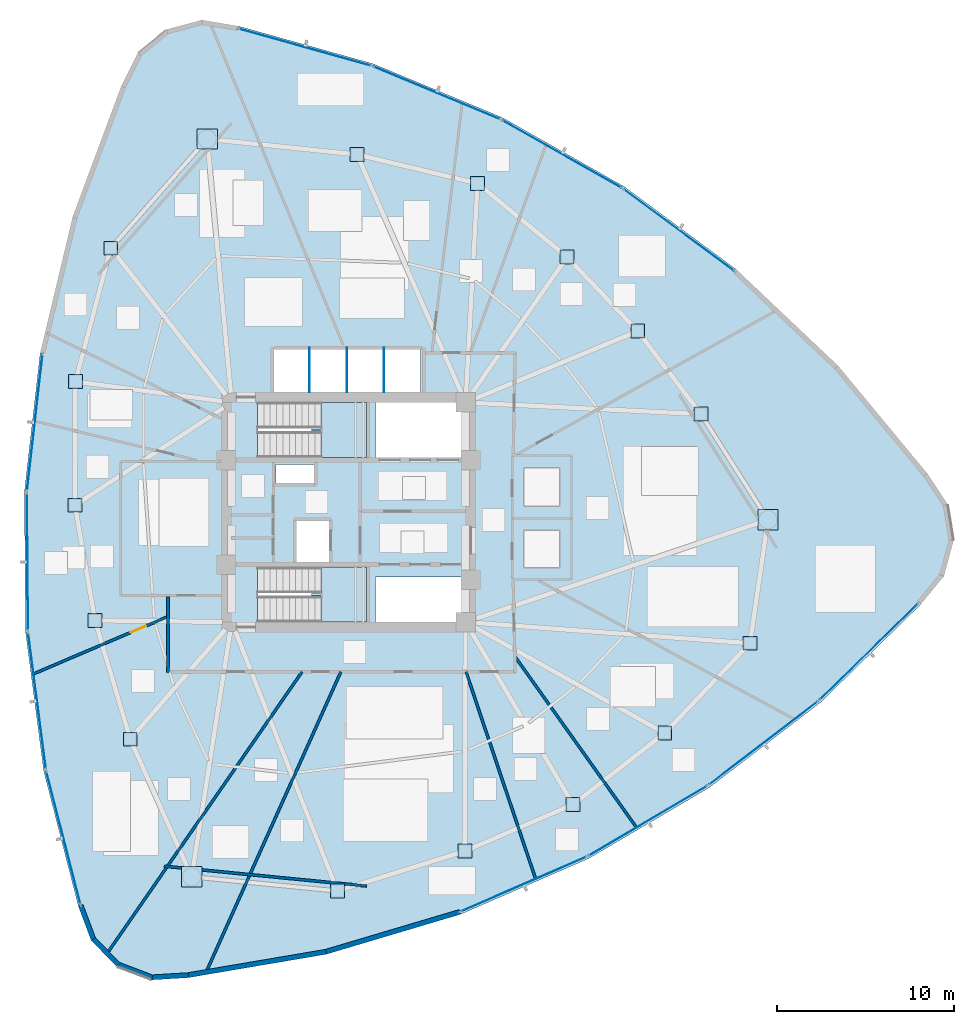
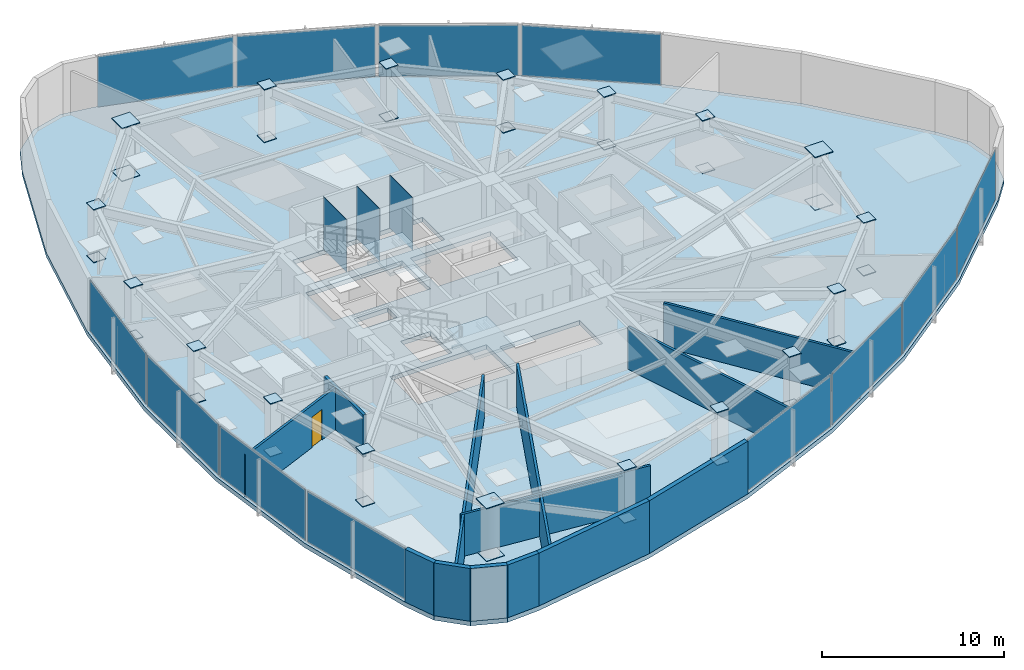
# One storey, part 11 of 18: 51 plates, 13 walls, 3 slabs, 1 door, 1 opening, 14 elements without a shape of their own.
"""IFC4 building model written with IfcOpenShell, lengths in metres."""

from ifc_helpers import new_model, si_unit, direction, frame, frame_2d, origin, origin_2d, place, context, subcontext, project, spatial, polyline, rectangle, outline, extrude, source, transform, mapped, material, layer, layer_set, type_object, type_shapes, element, fill, aggregate, save


model = new_model("IFC4")

# Units and contexts
model_context = context("Model", 3, precision=1e-05, world=origin(), true_north=direction((0.0, 1.0)))
body_context = subcontext(model_context, "Body", "Model", "MODEL_VIEW")
ifc_project = project(units=[si_unit("LENGTHUNIT", "METRE"), si_unit("AREAUNIT", "SQUARE_METRE"), si_unit("VOLUMEUNIT", "CUBIC_METRE"), si_unit("PLANEANGLEUNIT", "RADIAN"), si_unit("MASSUNIT", "GRAM", prefix="KILO")], contexts=[model_context])

# Site, building, storey
site_placement = place(None, origin())
site = spatial("IfcSite", under=ifc_project, at=site_placement, CompositionType="ELEMENT")
building_placement = place(site_placement, origin())
building = spatial("IfcBuilding", under=site, at=building_placement, Name="Tavelor Broadcast Tower", CompositionType="ELEMENT")
storey_placement = place(building_placement, frame((0.0, 0.0, 146.39990234375)))
storey = spatial("IfcBuildingStorey", under=building, at=storey_placement, Name="L34", CompositionType="ELEMENT", Elevation=146.39990234375)

# Stair, slab
ifc_material_1 = material(Name="Concrete C40/50", Category="concrete")
stair_type = type_object("IfcStairType", Name="Reinforced Concrete Protected Dogleg Stair 1450 mm", PredefinedType="HALF_TURN_STAIR", material=ifc_material_1)
stair_1_placement = place(storey_placement, origin())
stair_1 = element("IfcStair", 1, at=stair_1_placement, inside=storey, type_object=stair_type, Name="L34 Protected Core Exit Stair ST1", PredefinedType="HALF_TURN_STAIR")
ifc_layer_1 = layer(ifc_material_1, 0.199951171875)
ifc_layer_set_1 = layer_set([ifc_layer_1], Name="Concrete C40/50")
slab_type_1 = type_object("IfcSlabType", Name="Reinforced Concrete Stair Half-Landing Slab 200 mm", PredefinedType="LANDING", material=ifc_layer_set_1)
slab_1_placement = place(storey_placement, frame((0.0, 0.0, 1.72509765625)))
slab_1 = element("IfcSlab", 2, at=slab_1_placement, type_object=slab_type_1, Name="ST1 landing 1", PredefinedType="LANDING", context=body_context, shape_type="SweptSolid", body=[
    extrude(outline(polyline([(48.445068359375, 49.590087890625), (48.445068359375, 48.094970703125), (51.0048828125, 48.094970703125), (51.0048828125, 51.205078125), (48.445068359375, 51.205078125), (48.445068359375, 49.7099609375), (47.905029296875, 49.7099609375), (47.905029296875, 49.590087890625), (48.445068359375, 49.590087890625)])), origin(), (0.0, 0.0, 1.0), 0.199951171875),
])
aggregate(stair_1, [slab_1])

stair_2_placement = place(storey_placement, origin())
stair_2 = element("IfcStair", 3, at=stair_2_placement, inside=storey, type_object=stair_type, Name="L34 Protected Core Exit Stair ST2", PredefinedType="HALF_TURN_STAIR")
slab_2_placement = place(storey_placement, frame((0.0, 0.0, 1.72509765625)))
slab_2 = element("IfcSlab", 4, at=slab_2_placement, type_object=slab_type_1, Name="ST2 landing 1", PredefinedType="LANDING", context=body_context, shape_type="SweptSolid", body=[
    extrude(outline(polyline([(48.445068359375, 40.2900390625), (48.445068359375, 38.794921875), (51.0048828125, 38.794921875), (51.0048828125, 41.905029296875), (48.445068359375, 41.905029296875), (48.445068359375, 40.409912109375), (47.905029296875, 40.409912109375), (47.905029296875, 40.2900390625), (48.445068359375, 40.2900390625)])), origin(), (0.0, 0.0, 1.0), 0.199951171875),
])
aggregate(stair_2, [slab_2])

# Slab
ifc_layer_2 = layer(ifc_material_1, 0.300048828125)
ifc_layer_set_2 = layer_set([ifc_layer_2], Name="Concrete C40/50")
slab_type_2 = type_object("IfcSlabType", Name="Tower Composite Floor Slab 300 mm", PredefinedType="FLOOR", material=ifc_layer_set_2)
slab_3_placement = place(storey_placement, frame((0.0, 0.0, -0.2998046875)))
element("IfcSlab", 5, at=slab_3_placement, inside=storey, type_object=slab_type_2, Name="L34 Structural Floor Slab", PredefinedType="FLOOR", context=body_context, shape_type="SweptSolid", body=[
    extrude(outline(polyline([(43.763916015625, 72.453369140625), (41.716064453125, 72.794189453125), (39.709228515625, 72.26220703125), (38.09912109375, 70.951416015625), (37.171142578125, 69.09423828125), (34.419677734375, 61.686279296875), (32.5849609375, 54.0), (31.693603515625, 46.148193359375), (31.75927734375, 38.24609375), (32.780517578125, 30.409912109375), (34.74267578125, 22.7548828125), (35.471435546875, 20.81103515625), (36.935546875, 19.339111328125), (38.875732421875, 18.60009765625), (40.9482421875, 18.72509765625), (48.7392578125, 20.046142578125), (56.313232421875, 22.30029296875), (63.558837890625, 25.45458984375), (70.369384765625, 29.46240234375), (76.64501953125, 34.264892578125), (82.29345703125, 39.79150390625), (83.612548828125, 41.394775390625), (84.1552734375, 43.398681640625), (83.824951171875, 45.448486328125), (82.6806640625, 47.1806640625), (77.64111328125, 53.267333984375), (71.90185546875, 58.69970703125), (65.54736328125, 63.3974609375), (58.671142578125, 67.29150390625), (51.374267578125, 70.3251953125), (43.763916015625, 72.453369140625)]), holes=[polyline([(56.60009765625, 41.35009765625), (56.60009765625, 38.800048828125), (51.52001953125, 38.800048828125), (51.52001953125, 41.35009765625), (56.60009765625, 41.35009765625)]), polyline([(50.99609375, 38.803955078125), (44.85400390625, 38.803955078125), (44.85400390625, 41.89599609375), (50.99609375, 41.89599609375), (50.99609375, 38.803955078125)]), polyline([(47.050048828125, 42.199951171875), (47.050048828125, 44.550048828125), (48.949951171875, 44.550048828125), (48.949951171875, 42.199951171875), (47.050048828125, 42.199951171875)]), polyline([(48.050048828125, 46.64990234375), (45.89990234375, 46.64990234375), (45.89990234375, 47.699951171875), (48.050048828125, 47.699951171875), (48.050048828125, 46.64990234375)]), polyline([(50.99609375, 48.10400390625), (44.85400390625, 48.10400390625), (44.85400390625, 51.196044921875), (50.99609375, 51.196044921875), (50.99609375, 48.10400390625)]), polyline([(56.60009765625, 48.10009765625), (51.52001953125, 48.10009765625), (51.52001953125, 51.199951171875), (56.60009765625, 51.199951171875), (56.60009765625, 48.10009765625)]), polyline([(54.050048828125, 51.800048828125), (45.800048828125, 51.800048828125), (45.800048828125, 54.25), (54.050048828125, 54.25), (54.050048828125, 51.800048828125)])]), origin(), (0.0, 0.0, 1.0), 0.2998046875),
])

# Plates
ifc_material_2 = material(Name="Steel S460", Category="steel")
ifc_layer_3 = layer(ifc_material_2, 0.050048828125)
ifc_layer_set_3 = layer_set([ifc_layer_3], Name="Steel S460")
plate_type_1 = type_object("IfcPlateType", Name="Tube Hollow-End Cap Plate KN05 700x700x50", PredefinedType="USERDEFINED", material=ifc_layer_set_3)
shared_shape_1 = source(origin(), body_context, "Body", "SweptSolid", [
    extrude(rectangle(XDim=1.14697265625, YDim=1.14697265625, at=origin_2d()), origin(), (0.0, 0.0, 1.0), 0.054931640625),
])
for number, where, z_axis, x_axis, name in (
    (6, (42.01123046875, 66.080078125, -0.02734375), (0.0, 0.0, 1.0), (1.0, 0.0, 0.0), "L34 Hollow End Cap Plate KN05 #963"),
    (7, (42.01123046875, 66.080078125, 3.5224609375), (0.0, 0.0, 1.0), (1.0, 0.0, 0.0), "L34 Hollow End Cap Plate KN05 #964"),
    (8, (41.138671875, 24.423828125, -0.02734375), (0.0, 0.0, 1.0), (1.0, 0.0, 0.0), "L34 Hollow End Cap Plate KN05 #975"),
    (9, (41.138671875, 24.423828125, 3.5224609375), (0.0, 0.0, 1.0), (1.0, 0.0, 0.0), "L34 Hollow End Cap Plate KN05 #976"),
    (10, (73.676025390625, 44.57958984375, -0.02734375), (0.0, 0.0, 1.0), (1.0, 0.0, 0.0), "L34 Hollow End Cap Plate KN05 #987"),
    (11, (73.676025390625, 44.57958984375, 3.5224609375), (0.0, 0.0, 1.0), (1.0, 0.0, 0.0), "L34 Hollow End Cap Plate KN05 #988"),
):
    element("IfcPlate", number, at=place(storey_placement, frame(where, z_axis=z_axis, x_axis=x_axis)), inside=storey, type_object=plate_type_1, Name=name, ObjectType="CAP PLATE", PredefinedType="USERDEFINED", context=body_context, shape_type="MappedRepresentation", body=[
        mapped(shared_shape_1, transform((0.0, 0.0, 0.0), scale=1.0)),
    ])
shared_shape_2 = source(origin(), body_context, "Body", "SweptSolid", [
    extrude(rectangle(XDim=0.780029296875, YDim=0.780029296875, at=origin_2d()), origin(), (0.0, 0.0, 1.0), 0.054931640625),
])
type_shapes(plate_type_1, [shared_shape_1, shared_shape_2])
for number, where, z_axis, x_axis, name in (
    (12, (36.567626953125, 59.91064453125, -0.02734375), (0.0, 0.0, 1.0), (1.0, 0.0, 0.0), "L34 Hollow End Cap Plate KN05 #965"),
    (13, (36.567626953125, 59.91064453125, 3.5224609375), (0.0, 0.0, 1.0), (1.0, 0.0, 0.0), "L34 Hollow End Cap Plate KN05 #966"),
    (14, (34.5751953125, 52.37939453125, -0.02734375), (0.0, 0.0, 1.0), (1.0, 0.0, 0.0), "L34 Hollow End Cap Plate KN05 #967"),
    (15, (34.5751953125, 52.37939453125, 3.5224609375), (0.0, 0.0, 1.0), (1.0, 0.0, 0.0), "L34 Hollow End Cap Plate KN05 #968"),
    (16, (34.54638671875, 45.399169921875, -0.02734375), (0.0, 0.0, 1.0), (1.0, 0.0, 0.0), "L34 Hollow End Cap Plate KN05 #969"),
    (17, (34.54638671875, 45.399169921875, 3.5224609375), (0.0, 0.0, 1.0), (1.0, 0.0, 0.0), "L34 Hollow End Cap Plate KN05 #970"),
    (18, (35.680908203125, 38.89990234375, -0.02734375), (0.0, 0.0, 1.0), (1.0, 0.0, 0.0), "L34 Hollow End Cap Plate KN05 #971"),
    (19, (35.680908203125, 38.89990234375, 3.5224609375), (0.0, 0.0, 1.0), (1.0, 0.0, 0.0), "L34 Hollow End Cap Plate KN05 #972"),
    (20, (37.668212890625, 32.1904296875, -0.02734375), (0.0, 0.0, 1.0), (1.0, 0.0, 0.0), "L34 Hollow End Cap Plate KN05 #973"),
    (21, (37.668212890625, 32.1904296875, 3.5224609375), (0.0, 0.0, 1.0), (1.0, 0.0, 0.0), "L34 Hollow End Cap Plate KN05 #974"),
    (22, (49.366455078125, 23.618896484375, -0.02734375), (0.0, 0.0, 1.0), (1.0, 0.0, 0.0), "L34 Hollow End Cap Plate KN05 #977"),
    (23, (49.366455078125, 23.618896484375, 3.5224609375), (0.0, 0.0, 1.0), (1.0, 0.0, 0.0), "L34 Hollow End Cap Plate KN05 #978"),
    (24, (56.56103515625, 25.872802734375, -0.02734375), (0.0, 0.0, 1.0), (1.0, 0.0, 0.0), "L34 Hollow End Cap Plate KN05 #979"),
    (25, (56.56103515625, 25.872802734375, 3.5224609375), (0.0, 0.0, 1.0), (1.0, 0.0, 0.0), "L34 Hollow End Cap Plate KN05 #980"),
    (26, (62.669189453125, 28.503173828125, -0.02734375), (0.0, 0.0, 1.0), (1.0, 0.0, 0.0), "L34 Hollow End Cap Plate KN05 #981"),
    (27, (62.669189453125, 28.503173828125, 3.5224609375), (0.0, 0.0, 1.0), (1.0, 0.0, 0.0), "L34 Hollow End Cap Plate KN05 #982"),
    (28, (67.84228515625, 32.53173828125, -0.02734375), (0.0, 0.0, 1.0), (1.0, 0.0, 0.0), "L34 Hollow End Cap Plate KN05 #983"),
    (29, (67.84228515625, 32.53173828125, 3.5224609375), (0.0, 0.0, 1.0), (1.0, 0.0, 0.0), "L34 Hollow End Cap Plate KN05 #984"),
    (30, (72.6591796875, 37.607421875, -0.02734375), (0.0, 0.0, 1.0), (1.0, 0.0, 0.0), "L34 Hollow End Cap Plate KN05 #985"),
    (31, (72.6591796875, 37.607421875, 3.5224609375), (0.0, 0.0, 1.0), (1.0, 0.0, 0.0), "L34 Hollow End Cap Plate KN05 #986"),
    (32, (69.885986328125, 50.544189453125, -0.02734375), (0.0, 0.0, 1.0), (1.0, 0.0, 0.0), "L34 Hollow End Cap Plate KN05 #989"),
    (33, (69.885986328125, 50.544189453125, 3.5224609375), (0.0, 0.0, 1.0), (1.0, 0.0, 0.0), "L34 Hollow End Cap Plate KN05 #990"),
    (34, (66.322021484375, 55.228759765625, -0.02734375), (0.0, 0.0, 1.0), (1.0, 0.0, 0.0), "L34 Hollow End Cap Plate KN05 #991"),
    (35, (66.322021484375, 55.228759765625, 3.5224609375), (0.0, 0.0, 1.0), (1.0, 0.0, 0.0), "L34 Hollow End Cap Plate KN05 #992"),
    (36, (62.330810546875, 59.416259765625, -0.02734375), (0.0, 0.0, 1.0), (1.0, 0.0, 0.0), "L34 Hollow End Cap Plate KN05 #993"),
    (37, (62.330810546875, 59.416259765625, 3.5224609375), (0.0, 0.0, 1.0), (1.0, 0.0, 0.0), "L34 Hollow End Cap Plate KN05 #994"),
    (38, (57.276611328125, 63.568359375, -0.02734375), (0.0, 0.0, 1.0), (1.0, 0.0, 0.0), "L34 Hollow End Cap Plate KN05 #995"),
    (39, (57.276611328125, 63.568359375, 3.5224609375), (0.0, 0.0, 1.0), (1.0, 0.0, 0.0), "L34 Hollow End Cap Plate KN05 #996"),
    (40, (50.472412109375, 65.2021484375, -0.02734375), (0.0, 0.0, 1.0), (1.0, 0.0, 0.0), "L34 Hollow End Cap Plate KN05 #997"),
    (41, (50.472412109375, 65.2021484375, 3.5224609375), (0.0, 0.0, 1.0), (1.0, 0.0, 0.0), "L34 Hollow End Cap Plate KN05 #998"),
):
    element("IfcPlate", number, at=place(storey_placement, frame(where, z_axis=z_axis, x_axis=x_axis)), inside=storey, type_object=plate_type_1, Name=name, ObjectType="CAP PLATE", PredefinedType="USERDEFINED", context=body_context, shape_type="MappedRepresentation", body=[
        mapped(shared_shape_2, transform((0.0, 0.0, 0.0), scale=1.0)),
    ])
ifc_material_3 = material(Name="Steel S355", Category="steel")
ifc_layer_4 = layer(ifc_material_3, 0.011962890625)
ifc_layer_set_4 = layer_set([ifc_layer_4], Name="Steel S355")
plate_type_2 = type_object("IfcPlateType", Name="Hoistway Steel Separator Screen 12 mm", PredefinedType="SHEET", material=ifc_layer_set_4)
shared_shape_3 = source(origin(), body_context, "Body", "SweptSolid", [
    extrude(rectangle(XDim=0.02001953125, YDim=2.52001953125, at=origin_2d()), origin(), (0.0, 0.0, 1.0), 3.550048828125),
])
type_shapes(plate_type_2, [shared_shape_3])
for number, where, z_axis, x_axis, name in (
    (42, (47.800048828125, 53.0400390625, 0.0), (0.0, 0.0, 1.0), (1.0, 0.0, 0.0), "L34 High-Rise Hoistway Separator Screen 1"),
    (43, (49.89990234375, 53.0400390625, 0.0), (0.0, 0.0, 1.0), (1.0, 0.0, 0.0), "L34 High-Rise Hoistway Separator Screen 2"),
    (44, (52.0, 53.0400390625, 0.0), (0.0, 0.0, 1.0), (1.0, 0.0, 0.0), "L34 High-Rise Hoistway Separator Screen 3"),
):
    element("IfcPlate", number, at=place(storey_placement, frame(where, z_axis=z_axis, x_axis=x_axis)), inside=storey, type_object=plate_type_2, Name=name, PredefinedType="SHEET", context=body_context, shape_type="MappedRepresentation", body=[
        mapped(shared_shape_3, transform((0.0, 0.0, 0.0), scale=1.0)),
    ])

# Curtain wall, plate
ifc_material_4 = material(Name="Architectural Anodized Aluminium", Category="aluminium")
ifc_layer_5 = layer(ifc_material_4, 0.18994140625)
ifc_layer_set_5 = layer_set([ifc_layer_5], Name="Architectural Anodized Aluminium")
curtain_wall_type = type_object("IfcCurtainWallType", Name="Tower Mid-Zone Acoustic Curtain Wall CW03", PredefinedType="NOTDEFINED", material=ifc_layer_set_5)
curtain_wall_1_placement = place(storey_placement, origin())
curtain_wall_1 = element("IfcCurtainWall", 45, at=curtain_wall_1_placement, inside=storey, type_object=curtain_wall_type, Name="L34 Curtain Wall CW03 Run 349", PredefinedType="NOTDEFINED")
ifc_material_5 = material(Name="Solar Control Double Glazing 30 mm", Category="glass")
ifc_layer_6 = layer(ifc_material_5, 0.030029296875)
ifc_layer_set_6 = layer_set([ifc_layer_6], Name="Solar Control Double Glazing 30 mm")
plate_type_3 = type_object("IfcPlateType", Name="CW03 Insulated Vision Glazing Panel 30 mm", PredefinedType="CURTAIN_PANEL", material=ifc_layer_set_6)
shared_shape_4 = source(origin(), body_context, "Body", "SweptSolid", [
    extrude(rectangle(XDim=7.734375, YDim=0.030029296875, at=origin_2d()), origin(), (0.0, 0.0, 1.0), 3.4140625),
])
plate_1_placement = place(storey_placement, frame((32.279296875, 50.065673828125, 0.068115234375), z_axis=(0.0, 0.0, 1.0), x_axis=(-0.112765715809, -0.993621604706, 0.0)))
plate_1 = element("IfcPlate", 46, at=plate_1_placement, type_object=plate_type_3, Name="CW03 panel 1.1", PredefinedType="CURTAIN_PANEL", context=body_context, shape_type="MappedRepresentation", body=[
    mapped(shared_shape_4, transform((0.0, 0.0, 0.0), scale=1.0)),
])
aggregate(curtain_wall_1, [plate_1])

curtain_wall_2_placement = place(storey_placement, origin())
curtain_wall_2 = element("IfcCurtainWall", 47, at=curtain_wall_2_placement, inside=storey, type_object=curtain_wall_type, Name="L34 Curtain Wall CW03 Run 353", PredefinedType="NOTDEFINED")
plate_2_placement = place(storey_placement, frame((59.873291015625, 24.0029296875, 0.068115234375), z_axis=(0.0, 0.0, 1.0), x_axis=(0.916889778393, 0.399140494411, 0.0)))
plate_2 = element("IfcPlate", 48, at=plate_2_placement, type_object=plate_type_3, Name="CW03 panel 1.1", PredefinedType="CURTAIN_PANEL", context=body_context, shape_type="MappedRepresentation", body=[
    mapped(shared_shape_4, transform((0.0, 0.0, 0.0), scale=1.0)),
])
aggregate(curtain_wall_2, [plate_2])

curtain_wall_3_placement = place(storey_placement, origin())
curtain_wall_3 = element("IfcCurtainWall", 49, at=curtain_wall_3_placement, inside=storey, type_object=curtain_wall_type, Name="L34 Curtain Wall CW03 Run 357", PredefinedType="NOTDEFINED")
plate_3_placement = place(storey_placement, frame((68.6474609375, 60.931396484375, 0.068115234375), z_axis=(0.0, 0.0, 1.0), x_axis=(-0.804106952435, 0.594484658377, 0.0)))
plate_3 = element("IfcPlate", 50, at=plate_3_placement, type_object=plate_type_3, Name="CW03 panel 1.1", PredefinedType="CURTAIN_PANEL", context=body_context, shape_type="MappedRepresentation", body=[
    mapped(shared_shape_4, transform((0.0, 0.0, 0.0), scale=1.0)),
])
aggregate(curtain_wall_3, [plate_3])

curtain_wall_4_placement = place(storey_placement, origin())
curtain_wall_4 = element("IfcCurtainWall", 51, at=curtain_wall_4_placement, inside=storey, type_object=curtain_wall_type, Name="L34 Curtain Wall CW03 Run 350", PredefinedType="NOTDEFINED")
shared_shape_5 = source(origin(), body_context, "Body", "SweptSolid", [
    extrude(rectangle(XDim=7.719482421875, YDim=0.030029296875, at=origin_2d()), origin(), (0.0, 0.0, 1.0), 3.4140625),
])
plate_4_placement = place(storey_placement, frame((31.866455078125, 42.1982421875, 0.068115234375), z_axis=(0.0, 0.0, 1.0), x_axis=(0.008300053994, -0.999965553959, 0.0)))
plate_4 = element("IfcPlate", 52, at=plate_4_placement, type_object=plate_type_3, Name="CW03 panel 1.1", PredefinedType="CURTAIN_PANEL", context=body_context, shape_type="MappedRepresentation", body=[
    mapped(shared_shape_5, transform((0.0, 0.0, 0.0), scale=1.0)),
])
aggregate(curtain_wall_4, [plate_4])

curtain_wall_5_placement = place(storey_placement, origin())
curtain_wall_5 = element("IfcCurtainWall", 53, at=curtain_wall_5_placement, inside=storey, type_object=curtain_wall_type, Name="L34 Curtain Wall CW03 Run 351", PredefinedType="NOTDEFINED")
plate_5_placement = place(storey_placement, frame((32.40869140625, 34.345947265625, 0.068115234375), z_axis=(0.0, 0.0, 1.0), x_axis=(0.129236324835, -0.991613822182, 0.0)))
plate_5 = element("IfcPlate", 54, at=plate_5_placement, type_object=plate_type_3, Name="CW03 panel 1.1", PredefinedType="CURTAIN_PANEL", context=body_context, shape_type="MappedRepresentation", body=[
    mapped(shared_shape_5, transform((0.0, 0.0, 0.0), scale=1.0)),
])
aggregate(curtain_wall_5, [plate_5])

curtain_wall_6_placement = place(storey_placement, origin())
curtain_wall_6 = element("IfcCurtainWall", 55, at=curtain_wall_6_placement, inside=storey, type_object=curtain_wall_type, Name="L34 Curtain Wall CW03 Run 359", PredefinedType="NOTDEFINED")
plate_6_placement = place(storey_placement, frame((54.968994140625, 68.67919921875, 0.068115234375), z_axis=(0.0, 0.0, 1.0), x_axis=(-0.923379072149, 0.383889423033, 0.0)))
plate_6 = element("IfcPlate", 56, at=plate_6_placement, type_object=plate_type_3, Name="CW03 panel 1.1", PredefinedType="CURTAIN_PANEL", context=body_context, shape_type="MappedRepresentation", body=[
    mapped(shared_shape_5, transform((0.0, 0.0, 0.0), scale=1.0)),
])
aggregate(curtain_wall_6, [plate_6])

curtain_wall_7_placement = place(storey_placement, origin())
curtain_wall_7 = element("IfcCurtainWall", 57, at=curtain_wall_7_placement, inside=storey, type_object=curtain_wall_type, Name="L34 Curtain Wall CW03 Run 352", PredefinedType="NOTDEFINED")
shared_shape_6 = source(origin(), body_context, "Body", "SweptSolid", [
    extrude(rectangle(XDim=7.7353515625, YDim=0.030029296875, at=origin_2d()), origin(), (0.0, 0.0, 1.0), 3.4140625),
])
plate_7_placement = place(storey_placement, frame((33.899169921875, 26.609619140625, 0.068115234375), z_axis=(0.0, 0.0, 1.0), x_axis=(0.248270813194, -0.96869066441, 0.0)))
plate_7 = element("IfcPlate", 58, at=plate_7_placement, type_object=plate_type_3, Name="CW03 panel 1.1", PredefinedType="CURTAIN_PANEL", context=body_context, shape_type="MappedRepresentation", body=[
    mapped(shared_shape_6, transform((0.0, 0.0, 0.0), scale=1.0)),
])
aggregate(curtain_wall_7, [plate_7])

curtain_wall_8_placement = place(storey_placement, origin())
curtain_wall_8 = element("IfcCurtainWall", 59, at=curtain_wall_8_placement, inside=storey, type_object=curtain_wall_type, Name="L34 Curtain Wall CW03 Run 356", PredefinedType="NOTDEFINED")
plate_8_placement = place(storey_placement, frame((79.376953125, 37.1337890625, 0.068115234375), z_axis=(0.0, 0.0, 1.0), x_axis=(0.714763750327, 0.699365985174, 0.0)))
plate_8 = element("IfcPlate", 60, at=plate_8_placement, type_object=plate_type_3, Name="CW03 panel 1.1", PredefinedType="CURTAIN_PANEL", context=body_context, shape_type="MappedRepresentation", body=[
    mapped(shared_shape_6, transform((0.0, 0.0, 0.0), scale=1.0)),
])
aggregate(curtain_wall_8, [plate_8])

curtain_wall_9_placement = place(storey_placement, origin())
curtain_wall_9 = element("IfcCurtainWall", 61, at=curtain_wall_9_placement, inside=storey, type_object=curtain_wall_type, Name="L34 Curtain Wall CW03 Run 354", PredefinedType="NOTDEFINED")
shared_shape_7 = source(origin(), body_context, "Body", "SweptSolid", [
    extrude(rectangle(XDim=7.71923828125, YDim=0.030029296875, at=origin_2d()), origin(), (0.0, 0.0, 1.0), 3.4140625),
])
plate_9_placement = place(storey_placement, frame((66.893310546875, 27.5791015625, 0.068115234375), z_axis=(0.0, 0.0, 1.0), x_axis=(0.861848133445, 0.507166437058, 0.0)))
plate_9 = element("IfcPlate", 62, at=plate_9_placement, type_object=plate_type_3, Name="CW03 panel 1.1", PredefinedType="CURTAIN_PANEL", context=body_context, shape_type="MappedRepresentation", body=[
    mapped(shared_shape_7, transform((0.0, 0.0, 0.0), scale=1.0)),
])
aggregate(curtain_wall_9, [plate_9])

curtain_wall_10_placement = place(storey_placement, origin())
curtain_wall_10 = element("IfcCurtainWall", 63, at=curtain_wall_10_placement, inside=storey, type_object=curtain_wall_type, Name="L34 Curtain Wall CW03 Run 355", PredefinedType="NOTDEFINED")
plate_10_placement = place(storey_placement, frame((73.42236328125, 31.974853515625, 0.068115234375), z_axis=(0.0, 0.0, 1.0), x_axis=(0.794146764264, 0.607726021171, 0.0)))
plate_10 = element("IfcPlate", 64, at=plate_10_placement, type_object=plate_type_3, Name="CW03 panel 1.1", PredefinedType="CURTAIN_PANEL", context=body_context, shape_type="MappedRepresentation", body=[
    mapped(shared_shape_7, transform((0.0, 0.0, 0.0), scale=1.0)),
])
aggregate(curtain_wall_10, [plate_10])

curtain_wall_11_placement = place(storey_placement, origin())
curtain_wall_11 = element("IfcCurtainWall", 65, at=curtain_wall_11_placement, inside=storey, type_object=curtain_wall_type, Name="L34 Curtain Wall CW03 Run 358", PredefinedType="NOTDEFINED")
plate_11_placement = place(storey_placement, frame((62.040283203125, 65.22265625, 0.068115234375), z_axis=(0.0, 0.0, 1.0), x_axis=(-0.87014974814, 0.492787394129, 0.0)))
plate_11 = element("IfcPlate", 66, at=plate_11_placement, type_object=plate_type_3, Name="CW03 panel 1.1", PredefinedType="CURTAIN_PANEL", context=body_context, shape_type="MappedRepresentation", body=[
    mapped(shared_shape_7, transform((0.0, 0.0, 0.0), scale=1.0)),
])
aggregate(curtain_wall_11, [plate_11])

curtain_wall_12_placement = place(storey_placement, origin())
curtain_wall_12 = element("IfcCurtainWall", 67, at=curtain_wall_12_placement, inside=storey, type_object=curtain_wall_type, Name="L34 Curtain Wall CW03 Run 360", PredefinedType="NOTDEFINED")
shared_shape_8 = source(origin(), body_context, "Body", "SweptSolid", [
    extrude(rectangle(XDim=7.735107421875, YDim=0.030029296875, at=origin_2d()), origin(), (0.0, 0.0, 1.0), 3.4140625),
])
type_shapes(plate_type_3, [shared_shape_4, shared_shape_5, shared_shape_6, shared_shape_7, shared_shape_8])
plate_12_placement = place(storey_placement, frame((47.523681640625, 71.256591796875, 0.068115234375), z_axis=(0.0, 0.0, 1.0), x_axis=(-0.963053426134, 0.269310412743, 0.0)))
plate_12 = element("IfcPlate", 68, at=plate_12_placement, type_object=plate_type_3, Name="CW03 panel 1.1", PredefinedType="CURTAIN_PANEL", context=body_context, shape_type="MappedRepresentation", body=[
    mapped(shared_shape_8, transform((0.0, 0.0, 0.0), scale=1.0)),
])
aggregate(curtain_wall_12, [plate_12])

# Walls
ifc_material_6 = material(Name="Calcium Silicate Fire Board 180 mm", Category="gypsum")
ifc_layer_7 = layer(ifc_material_6, 0.179931640625)
ifc_layer_set_7 = layer_set([ifc_layer_7], Name="Calcium Silicate Fire Board 180 mm")
wall_type_1 = type_object("IfcWallType", Name="Fire-Rated Corridor Partition Wall 180 mm", PredefinedType="PARTITIONING", material=ifc_layer_set_7)
wall_1_placement = place(storey_placement, frame((39.800048828125, 35.949951171875, 0.0), z_axis=(0.0, 0.0, 1.0), x_axis=(0.0, 1.0, 0.0)))
element("IfcWall", 69, at=wall_1_placement, inside=storey, type_object=wall_type_1, Name="L34 Corridor Compartment Wall 05", PredefinedType="PARTITIONING", context=body_context, shape_type="SweptSolid", body=[
    extrude(rectangle(XDim=4.300048828125, YDim=0.179931640625, at=frame_2d((2.14990234375, 0.0))), origin(), (0.0, 0.0, 1.0), 2.835205078125),
])
ifc_material_7 = material(Name="Precast Concrete C40/50", Category="concrete")
ifc_layer_8 = layer(ifc_material_7, 0.280029296875)
ifc_layer_set_8 = layer_set([ifc_layer_8], Name="Precast Concrete C40/50")
wall_type_2 = type_object("IfcWallType", Name="Insulated Precast Terracotta Facade Wall 280 mm", PredefinedType="STANDARD", material=ifc_layer_set_8)
wall_2_placement = place(storey_placement, frame((34.875, 22.80078125, 0.0), z_axis=(0.0, 0.0, 1.0), x_axis=(0.35100640095, -0.936373059465, 0.0)))
element("IfcWall", 70, at=wall_2_placement, inside=storey, type_object=wall_type_2, Name="L34 Rounded Corner Structural Cladding Pier 11", PredefinedType="STANDARD", context=body_context, shape_type="SweptSolid", body=[
    extrude(rectangle(XDim=2.057373046875, YDim=0.280029296875, at=frame_2d((1.02880859375, 0.0))), origin(), (0.0, 0.0, 1.0), 3.550048828125),
])
wall_3_placement = place(storey_placement, frame((35.581298828125, 20.89892578125, 0.0), z_axis=(0.0, 0.0, 1.0), x_axis=(0.705254709227, -0.708954014808, 0.0)))
element("IfcWall", 71, at=wall_3_placement, inside=storey, type_object=wall_type_2, Name="L34 Rounded Corner Structural Cladding Pier 12", PredefinedType="STANDARD", context=body_context, shape_type="SweptSolid", body=[
    extrude(rectangle(XDim=2.0458984375, YDim=0.280029296875, at=frame_2d((1.02294921875, 0.0))), origin(), (0.0, 0.0, 1.0), 3.550048828125),
])
wall_4_placement = place(storey_placement, frame((36.99951171875, 19.464599609375, 0.0), z_axis=(0.0, 0.0, 1.0), x_axis=(0.934512305484, -0.355930823194, 0.0)))
element("IfcWall", 72, at=wall_4_placement, inside=storey, type_object=wall_type_2, Name="L34 Rounded Corner Structural Cladding Pier 13", PredefinedType="STANDARD", context=body_context, shape_type="SweptSolid", body=[
    extrude(rectangle(XDim=2.046142578125, YDim=0.280029296875, at=frame_2d((1.02294921875, 0.0))), origin(), (0.0, 0.0, 1.0), 3.550048828125),
])
wall_5_placement = place(storey_placement, frame((38.882568359375, 18.740966796875, 0.0), z_axis=(0.0, 0.0, 1.0), x_axis=(0.998193678907, 0.060078110744, 0.0)))
element("IfcWall", 73, at=wall_5_placement, inside=storey, type_object=wall_type_2, Name="L34 Rounded Corner Structural Cladding Pier 14", PredefinedType="STANDARD", context=body_context, shape_type="SweptSolid", body=[
    extrude(rectangle(XDim=2.068359375, YDim=0.280029296875, at=frame_2d((1.0341796875, 0.0))), origin(), (0.0, 0.0, 1.0), 3.550048828125),
])
wall_6_placement = place(storey_placement, frame((40.91748046875, 18.86181640625, 0.0), z_axis=(0.0, 0.0, 1.0), x_axis=(0.985925722647, 0.167183938893, 0.0)))
element("IfcWall", 74, at=wall_6_placement, inside=storey, type_object=wall_type_2, Name="L34 Rounded Corner Structural Cladding Pier 15", PredefinedType="STANDARD", context=body_context, shape_type="SweptSolid", body=[
    extrude(rectangle(XDim=7.916259765625, YDim=0.280029296875, at=frame_2d((3.9580078125, 0.0))), origin(), (0.0, 0.0, 1.0), 3.550048828125),
])
wall_7_placement = place(storey_placement, frame((48.693115234375, 20.178466796875, 0.0), z_axis=(0.0, 0.0, 1.0), x_axis=(0.95844715234, 0.285270145951, 0.0)))
element("IfcWall", 75, at=wall_7_placement, inside=storey, type_object=wall_type_2, Name="L34 Rounded Corner Structural Cladding Pier 16", PredefinedType="STANDARD", context=body_context, shape_type="SweptSolid", body=[
    extrude(rectangle(XDim=7.904296875, YDim=0.280029296875, at=frame_2d((3.9521484375, 0.0))), origin(), (0.0, 0.0, 1.0), 3.550048828125),
])
ifc_material_8 = material(Name="Gypsum Acoustic Plasterboard 150 mm", Category="gypsum")
ifc_layer_9 = layer(ifc_material_8, 0.14990234375)
ifc_layer_set_9 = layer_set([ifc_layer_9], Name="Gypsum Acoustic Plasterboard 150 mm")
wall_type_3 = type_object("IfcWallType", Name="Interior Acoustic Partition Wall 150 mm", PredefinedType="PARTITIONING", material=ifc_layer_set_9)
wall_8_placement = place(storey_placement, frame((39.589111328125, 25.017578125, 0.0), z_axis=(0.0, 0.0, 1.0), x_axis=(0.99524905582, -0.097361783517, 0.0)))
element("IfcWall", 76, at=wall_8_placement, inside=storey, type_object=wall_type_3, Name="L34 Corner Tube Brace Furring Wall 2", PredefinedType="PARTITIONING", context=body_context, shape_type="SweptSolid", body=[
    extrude(rectangle(XDim=11.467041015625, YDim=0.14990234375, at=frame_2d((5.7333984375, 0.0))), origin(), (0.0, 0.0, 1.0), 2.835205078125),
])

# Wall, opening, door
wall_9_placement = place(storey_placement, frame((39.800048828125, 39.1142578125, 0.0), z_axis=(0.0, 0.0, 1.0), x_axis=(-0.919826794206, -0.392324698001, 0.0)))
wall_9 = element("IfcWall", 77, at=wall_9_placement, inside=storey, type_object=wall_type_3, Name="L34 Radial Compartment Wall 07", PredefinedType="PARTITIONING", context=body_context, shape_type="SweptSolid", body=[
    extrude(rectangle(XDim=8.2626953125, YDim=0.14990234375, at=frame_2d((4.13134765625, 0.0))), origin(), (0.0, 0.0, 1.0), 2.835205078125),
])
opening_placement = place(wall_9_placement, frame((1.35009765625, 0.0, 0.0)))
opening = element("IfcOpeningElement", 78, at=opening_placement, cuts=wall_9, Name="Opening DR18", PredefinedType="OPENING", context=body_context, shape_type="SweptSolid", body=[
    extrude(rectangle(XDim=0.949951171875, YDim=2.050048828125, at=frame_2d((0.47509765625, 1.02490234375))), frame((0.0, 0.0849609375, 0.0), z_axis=(0.0, -1.0, 0.0), x_axis=(1.0, 0.0, 0.0)), (0.0, 0.0, 1.0), 0.169921875),
])
ifc_material_9 = material(Name="Timber Solid Core Hardwood", Category="wood")
door_type = type_object("IfcDoorType", Name="Corridor Rated Compartment Door 950x2050", OperationType="NOTDEFINED", PredefinedType="DOOR", material=ifc_material_9)
door_placement = place(opening_placement, origin())
door = element("IfcDoor", 79, at=door_placement, inside=storey, type_object=door_type, Name="L34 Suite Connecting Door 7", OperationType="SINGLE_SWING_RIGHT", OverallHeight=2.050048828125, OverallWidth=0.949951171875, PredefinedType="DOOR", context=body_context, shape_type="SweptSolid", body=[
    extrude(rectangle(XDim=0.949951171875, YDim=2.050048828125, at=frame_2d((0.47509765625, 1.02490234375))), frame((0.0, 0.02490234375, 0.0), z_axis=(0.0, -1.0, 0.0), x_axis=(1.0, 0.0, 0.0)), (0.0, 0.0, 1.0), 0.050048828125),
])
fill(opening, door)

# Walls
wall_10_placement = place(storey_placement, frame((47.372314453125, 36.0, 0.0), z_axis=(0.0, 0.0, 1.0), x_axis=(-0.569021581758, -0.822322588461, 0.0)))
element("IfcWall", 80, at=wall_10_placement, inside=storey, type_object=wall_type_3, Name="L34 Radial Compartment Wall 08", PredefinedType="PARTITIONING", context=body_context, shape_type="SweptSolid", body=[
    extrude(rectangle(XDim=19.34130859375, YDim=0.14990234375, at=frame_2d((9.670654296875, 0.0))), origin(), (0.0, 0.0, 1.0), 2.835205078125),
])
wall_11_placement = place(storey_placement, frame((49.563232421875, 36.0, 0.0), z_axis=(0.0, 0.0, 1.0), x_axis=(-0.409241298845, -0.912426193903, 0.0)))
element("IfcWall", 81, at=wall_11_placement, inside=storey, type_object=wall_type_3, Name="L34 Radial Compartment Wall 09", PredefinedType="PARTITIONING", context=body_context, shape_type="SweptSolid", body=[
    extrude(rectangle(XDim=18.602294921875, YDim=0.14990234375, at=frame_2d((9.30126953125, 0.0))), origin(), (0.0, 0.0, 1.0), 2.835205078125),
])
wall_12_placement = place(storey_placement, frame((56.624755859375, 36.0, 0.0), z_axis=(0.0, 0.0, 1.0), x_axis=(0.318580720464, -0.947895735062, 0.0)))
element("IfcWall", 82, at=wall_12_placement, inside=storey, type_object=wall_type_3, Name="L34 Radial Compartment Wall 10", PredefinedType="PARTITIONING", context=body_context, shape_type="SweptSolid", body=[
    extrude(rectangle(XDim=12.3525390625, YDim=0.14990234375, at=frame_2d((6.17626953125, 0.0))), origin(), (0.0, 0.0, 1.0), 2.835205078125),
])
wall_13_placement = place(storey_placement, frame((59.38134765625, 36.86865234375, 0.0), z_axis=(0.0, 0.0, 1.0), x_axis=(0.579458519131, -0.815001732885, 0.0)))
element("IfcWall", 83, at=wall_13_placement, inside=storey, type_object=wall_type_3, Name="L34 Radial Compartment Wall 11", PredefinedType="PARTITIONING", context=body_context, shape_type="SweptSolid", body=[
    extrude(rectangle(XDim=11.8701171875, YDim=0.14990234375, at=frame_2d((5.93505859375, 0.0))), origin(), (0.0, 0.0, 1.0), 2.97509765625),
])

save(model, "model.ifc")
